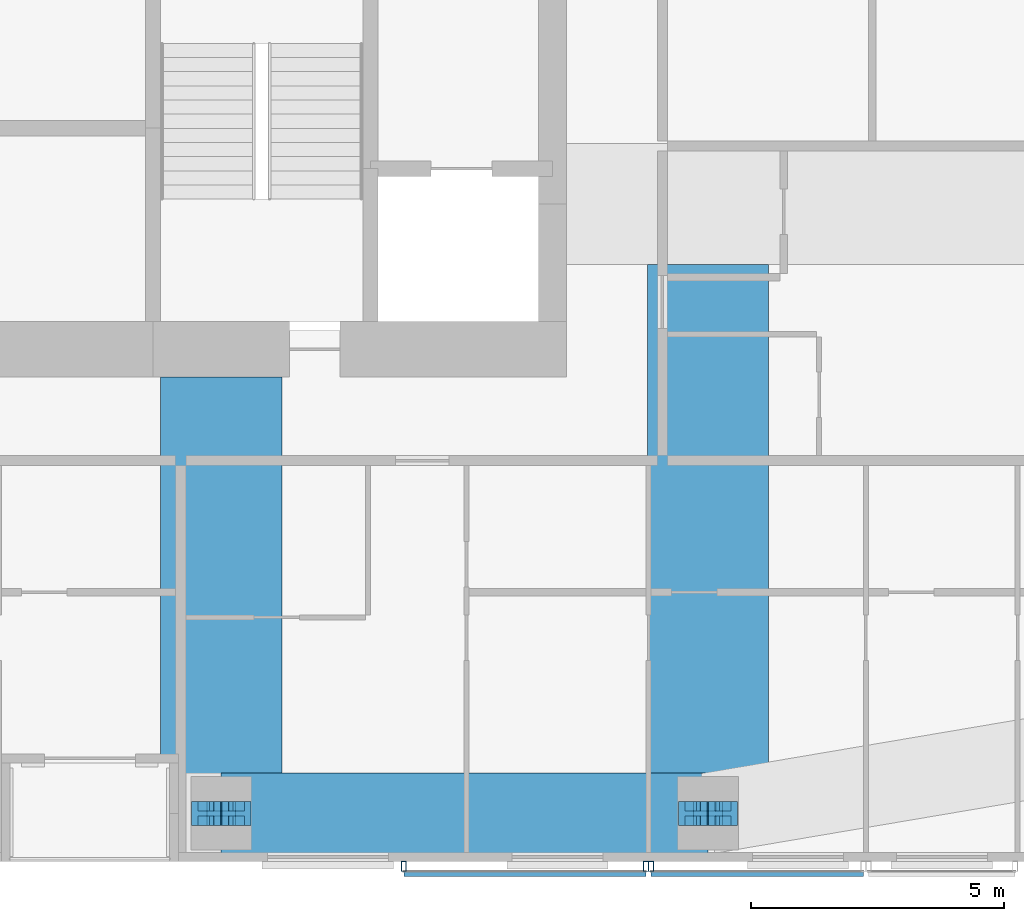
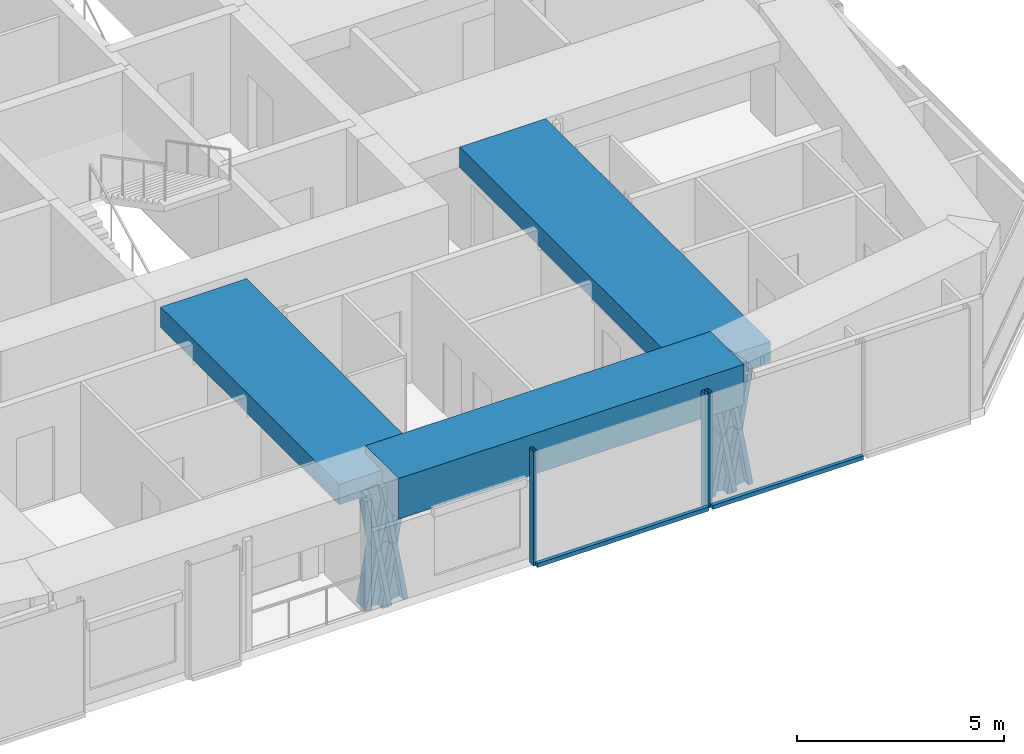
# One storey, part 5 of 20: 13 members, 3 beams, 2 elements without a shape of their own.
"""IFC4 building model written with IfcOpenShell, lengths in metres."""

from ifc_helpers import new_model, si_unit, direction, frame, origin, origin_2d, place, context, subcontext, project, spatial, rectangle, hollow_rectangle, i_section, extrude, material, material_profile, profile_set, type_object, element, aggregate, save


model = new_model("IFC4")

# Units and contexts
model_context = context("Model", 3, precision=1e-05, world=origin(), true_north=direction((0.0, 1.0)))
body_context = subcontext(model_context, "Body", "Model", "MODEL_VIEW")
ifc_project = project(units=[si_unit("LENGTHUNIT", "METRE"), si_unit("AREAUNIT", "SQUARE_METRE"), si_unit("VOLUMEUNIT", "CUBIC_METRE"), si_unit("PLANEANGLEUNIT", "RADIAN"), si_unit("MASSUNIT", "GRAM", prefix="KILO")], contexts=[model_context])

# Site, building, storey
site_placement = place(None, origin())
site = spatial("IfcSite", under=ifc_project, at=site_placement, CompositionType="ELEMENT")
building_placement = place(site_placement, origin())
building = spatial("IfcBuilding", under=site, at=building_placement, Name="Jalousie Tower", CompositionType="ELEMENT")
storey_placement = place(building_placement, frame((0.0, 0.0, 242.449951171875)))
storey = spatial("IfcBuildingStorey", under=building, at=storey_placement, Name="L66", CompositionType="ELEMENT", Elevation=242.449951171875)

# Members
ifc_material_1 = material(Name="Steel ASTM A992 Grade 50", Category="steel")
ifc_material_profile_1 = material_profile(ifc_material_1, i_section(OverallWidth=0.472412109375, OverallDepth=0.5791015625, WebThickness=0.094970703125, FlangeThickness=0.1298828125, at=origin_2d()), Name="W14X808")
ifc_profile_set_1 = profile_set([ifc_material_profile_1], Name="Steel ASTM A992 Grade 50")
member_type_1 = type_object("IfcMemberType", Name="PERIMETER BRACE W14X808", PredefinedType="BRACE", material=ifc_profile_set_1)
for number, where, z_axis, x_axis, name in (
    (1, (36.949951171875, 0.949951171875, -0.599853515625), (0.168990530437, 0.0, 0.98561767467), (0.0, 1.0, 0.0), "Perimeter brace 03 L66 part 1"),
    (2, (37.25, 0.949951171875, 1.150146484375), (0.168990530437, 0.0, 0.98561767467), (0.0, 1.0, 0.0), "Perimeter brace 03 L66 part 2"),
    (3, (37.550048828125, 0.949951171875, -0.599853515625), (-0.168990530437, 0.0, 0.98561767467), (0.0, -1.0, 0.0), "Perimeter brace 03 L66 part 3"),
    (4, (37.25, 0.949951171875, 1.150146484375), (-0.168990530437, 0.0, 0.98561767467), (0.0, -1.0, 0.0), "Perimeter brace 03 L66 part 4"),
    (5, (46.574951171875, 0.949951171875, -0.599853515625), (0.168990530437, 0.0, 0.98561767467), (0.0, 1.0, 0.0), "Perimeter brace 04 L66 part 1"),
    (6, (46.875, 0.949951171875, 1.150146484375), (0.168990530437, 0.0, 0.98561767467), (0.0, 1.0, 0.0), "Perimeter brace 04 L66 part 2"),
    (7, (47.175048828125, 0.949951171875, -0.599853515625), (-0.168990530437, 0.0, 0.98561767467), (0.0, -1.0, 0.0), "Perimeter brace 04 L66 part 3"),
    (8, (46.875, 0.949951171875, 1.150146484375), (-0.168990530437, 0.0, 0.98561767467), (0.0, -1.0, 0.0), "Perimeter brace 04 L66 part 4"),
):
    element("IfcMember", number, at=place(storey_placement, frame(where, z_axis=z_axis, x_axis=x_axis)), inside=storey, type_object=member_type_1, Name=name, PredefinedType="BRACE", context=body_context, shape_type="SweptSolid", body=[
        extrude(i_section(OverallWidth=0.472412109375, OverallDepth=0.5791015625, WebThickness=0.094970703125, FlangeThickness=0.1298828125, at=origin_2d()), origin(), (0.0, 0.0, 1.0), 1.775634765625),
    ])

# Beams
ifc_material_2 = material(Name="Concrete f'c 40 MPa", Category="concrete")
ifc_material_profile_2 = material_profile(ifc_material_2, rectangle(XDim=1.60009765625, YDim=1.199951171875, at=origin_2d()), Name="RC 1600x1200")
ifc_profile_set_2 = profile_set([ifc_material_profile_2], Name="Concrete f'c 40 MPa")
beam_type_1 = type_object("IfcBeamType", Name="RC BEAM 1600x1200", PredefinedType="BEAM", material=ifc_profile_set_2)
beam_1_placement = place(storey_placement, frame((37.25, 0.949951171875, 2.900146484375), z_axis=(1.0, 0.0, 0.0), x_axis=(0.0, 1.0, 0.0)))
element("IfcBeam", 9, at=beam_1_placement, inside=storey, type_object=beam_type_1, Name="Edge band beam 03-04 under L67", PredefinedType="BEAM", context=body_context, shape_type="SweptSolid", body=[
    extrude(rectangle(XDim=1.60009765625, YDim=1.199951171875, at=origin_2d()), origin(), (0.0, 0.0, 1.0), 9.625),
])
ifc_material_3 = material(Name="Concrete f'c 40 MPa", Category="concrete")
ifc_material_profile_3 = material_profile(ifc_material_3, rectangle(XDim=2.39990234375, YDim=0.60009765625, at=origin_2d()), Name="RC 2400x600")
ifc_profile_set_3 = profile_set([ifc_material_profile_3], Name="Concrete f'c 40 MPa")
beam_type_2 = type_object("IfcBeamType", Name="RC BEAM 2400x600", PredefinedType="BEAM", material=ifc_profile_set_3)
beam_2_placement = place(storey_placement, frame((37.25, 0.949951171875, 2.9599609375), z_axis=(0.0, 1.0, 0.0), x_axis=(-1.0, 0.0, 0.0)))
element("IfcBeam", 10, at=beam_2_placement, inside=storey, type_object=beam_type_2, Name="Floor band beam under L67", PredefinedType="BEAM", context=body_context, shape_type="SweptSolid", body=[
    extrude(rectangle(XDim=2.39990234375, YDim=0.60009765625, at=origin_2d()), origin(), (0.0, 0.0, 1.0), 8.625),
])
beam_3_placement = place(storey_placement, frame((46.875, 0.949951171875, 2.9599609375), z_axis=(0.0, 1.0, 0.0), x_axis=(-1.0, 0.0, 0.0)))
element("IfcBeam", 11, at=beam_3_placement, inside=storey, type_object=beam_type_2, Name="Floor band beam under L67", PredefinedType="BEAM", context=body_context, shape_type="SweptSolid", body=[
    extrude(rectangle(XDim=2.39990234375, YDim=0.60009765625, at=origin_2d()), origin(), (0.0, 0.0, 1.0), 10.85009765625),
])

# Curtain wall, members
ifc_material_4 = material(Name="Perforated aluminium sheet", Category="aluminium")
curtain_wall_type = type_object("IfcCurtainWallType", Name="SOLAR SCREEN SS-2", PredefinedType="USERDEFINED", material=ifc_material_4)
curtain_wall_1_placement = place(storey_placement, origin())
curtain_wall_1 = element("IfcCurtainWall", 12, at=curtain_wall_1_placement, inside=storey, type_object=curtain_wall_type, Name="Solar screen L66", ObjectType="SOLAR SCREEN SS-2", PredefinedType="USERDEFINED")
ifc_material_5 = material(Name="Steel ASTM A500 Grade C", Category="steel")
ifc_material_profile_4 = material_profile(ifc_material_5, hollow_rectangle(XDim=0.1015625, YDim=0.203125, WallThickness=0.0078125, at=origin_2d()), Name="HSS8X4X5/16")
ifc_profile_set_4 = profile_set([ifc_material_profile_4], Name="Steel ASTM A500 Grade C")
member_type_2 = type_object("IfcMemberType", Name="SOLAR SCREEN SS-2 MULLION", PredefinedType="MULLION", material=ifc_profile_set_4)
member_1_placement = place(storey_placement, frame((40.860107421875, -0.0966796875, -0.119873046875), z_axis=(0.0, 0.0, 1.0), x_axis=(1.0, 0.0, 0.0)))
member_1 = element("IfcMember", 13, at=member_1_placement, type_object=member_type_2, Name="SS2 post 1", PredefinedType="MULLION", context=body_context, shape_type="SweptSolid", body=[
    extrude(hollow_rectangle(XDim=0.1015625, YDim=0.203125, WallThickness=0.0078125, at=origin_2d()), origin(), (0.0, 0.0, 1.0), 3.3798828125),
])
member_2_placement = place(storey_placement, frame((45.64990234375, -0.0966796875, -0.119873046875), z_axis=(0.0, 0.0, 1.0), x_axis=(1.0, 0.0, 0.0)))
member_2 = element("IfcMember", 14, at=member_2_placement, type_object=member_type_2, Name="SS2 post 2", PredefinedType="MULLION", context=body_context, shape_type="SweptSolid", body=[
    extrude(hollow_rectangle(XDim=0.1015625, YDim=0.203125, WallThickness=0.0078125, at=origin_2d()), origin(), (0.0, 0.0, 1.0), 3.3798828125),
])

# Curtain wall, member
curtain_wall_2_placement = place(storey_placement, origin())
curtain_wall_2 = element("IfcCurtainWall", 15, at=curtain_wall_2_placement, inside=storey, type_object=curtain_wall_type, Name="Solar screen L66", ObjectType="SOLAR SCREEN SS-2", PredefinedType="USERDEFINED")
member_3_placement = place(storey_placement, frame((45.75, -0.0966796875, -0.119873046875), z_axis=(0.0, 0.0, 1.0), x_axis=(1.0, 0.0, 0.0)))
member_3 = element("IfcMember", 16, at=member_3_placement, type_object=member_type_2, Name="SS2 post 1", PredefinedType="MULLION", context=body_context, shape_type="SweptSolid", body=[
    extrude(hollow_rectangle(XDim=0.1015625, YDim=0.203125, WallThickness=0.0078125, at=origin_2d()), origin(), (0.0, 0.0, 1.0), 3.3798828125),
])

# Member
ifc_material_6 = material(Name="Extruded aluminium screen rail", Category="aluminium")
ifc_material_profile_5 = material_profile(ifc_material_6, rectangle(XDim=0.1015625, YDim=0.1201171875, at=origin_2d()), Name="RAIL 102x120")
ifc_profile_set_5 = profile_set([ifc_material_profile_5], Name="Extruded aluminium screen rail")
member_type_3 = type_object("IfcMemberType", Name="SOLAR SCREEN SS-2 TRANSOM", PredefinedType="USERDEFINED", material=ifc_profile_set_5)
member_4_placement = place(storey_placement, frame((40.860107421875, -0.2490234375, -0.06005859375), z_axis=(1.0, 0.0, 0.0), x_axis=(0.0, 1.0, 0.0)))
member_4 = element("IfcMember", 17, at=member_4_placement, type_object=member_type_3, Name="SS2 rail", ObjectType="TRANSOM", PredefinedType="USERDEFINED", context=body_context, shape_type="SweptSolid", body=[
    extrude(rectangle(XDim=0.1015625, YDim=0.1201171875, at=origin_2d()), origin(), (0.0, 0.0, 1.0), 4.789794921875),
])

aggregate(curtain_wall_1, [member_1, member_2, member_4])

member_5_placement = place(storey_placement, frame((45.75, -0.2490234375, -0.06005859375), z_axis=(1.0, 0.0, 0.0), x_axis=(0.0, 1.0, 0.0)))
member_5 = element("IfcMember", 18, at=member_5_placement, type_object=member_type_3, Name="SS2 rail", ObjectType="TRANSOM", PredefinedType="USERDEFINED", context=body_context, shape_type="SweptSolid", body=[
    extrude(rectangle(XDim=0.1015625, YDim=0.1201171875, at=origin_2d()), origin(), (0.0, 0.0, 1.0), 4.199951171875),
])

aggregate(curtain_wall_2, [member_3, member_5])

save(model, "model.ifc")
